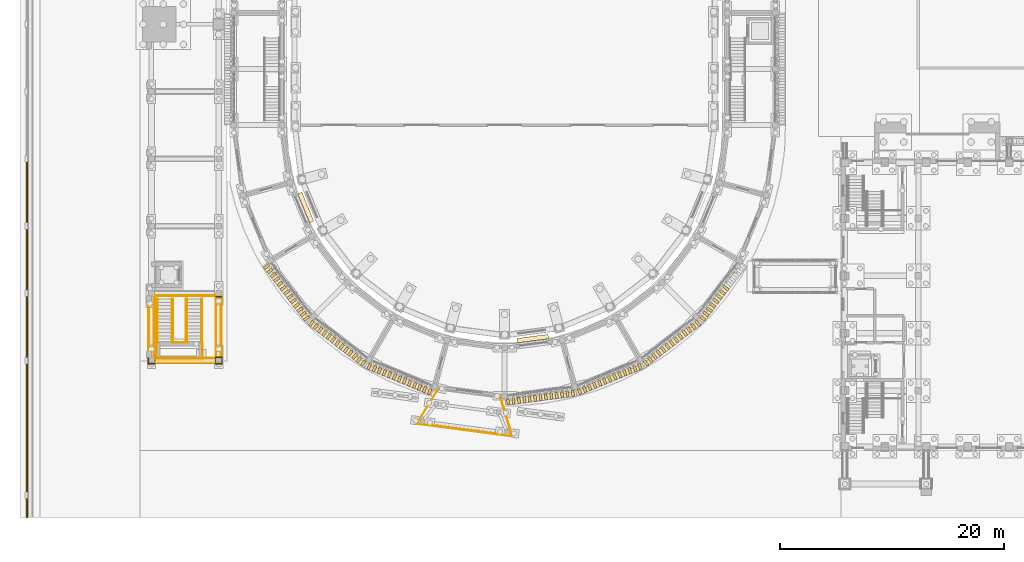
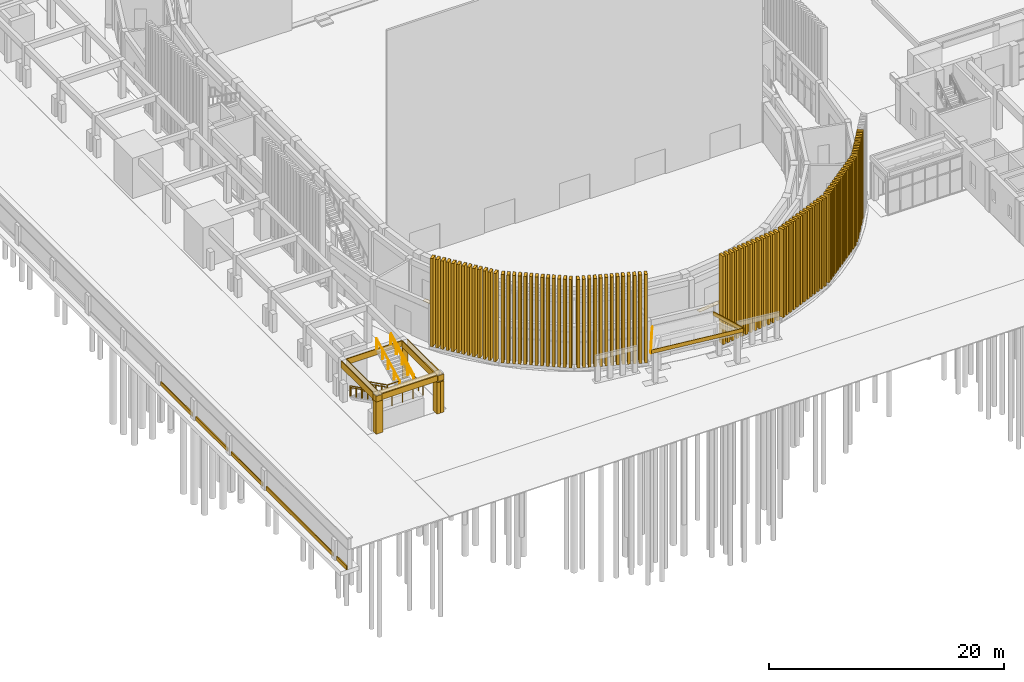
# One storey, part 94 of 112: 110 coverings, 10 railings.
"""IFC4 building model written with IfcOpenShell, lengths in metres."""

from ifc_helpers import new_model, si_unit, direction, frame, origin, origin_2d, place, context, subcontext, project, spatial, polyline, rectangle, circle, outline, extrude, material, layer, layer_set, material_profile, profile_set, type_object, element, save


model = new_model("IFC4")

# Units and contexts
model_context = context("Model", 3, precision=1e-05, world=origin(), true_north=direction((0.0, 1.0)))
body_context = subcontext(model_context, "Body", "Model", "MODEL_VIEW")
ifc_project = project(units=[si_unit("LENGTHUNIT", "METRE"), si_unit("AREAUNIT", "SQUARE_METRE"), si_unit("VOLUMEUNIT", "CUBIC_METRE"), si_unit("PLANEANGLEUNIT", "RADIAN"), si_unit("MASSUNIT", "GRAM", prefix="KILO")], contexts=[model_context])

# Site, building, storey
site_placement = place(None, origin())
site = spatial("IfcSite", under=ifc_project, at=site_placement, CompositionType="ELEMENT")
building_placement = place(site_placement, origin())
building = spatial("IfcBuilding", under=site, at=building_placement, Name="Wasatch Bagh Community Centre", CompositionType="ELEMENT")
storey_placement = place(building_placement, origin())
storey = spatial("IfcBuildingStorey", under=building, at=storey_placement, Name="L00", CompositionType="ELEMENT", Elevation=0.0)

# Coverings
ifc_material_1 = material(Name="Cast stone cladding", Category="masonry")
ifc_layer_1 = layer(ifc_material_1, 0.080078125)
ifc_layer_set_1 = layer_set([ifc_layer_1], Name="Cast stone cladding")
covering_type_1 = type_object("IfcCoveringType", Name="CL-B7 beam facing", PredefinedType="CLADDING", material=ifc_layer_set_1)
covering_1_placement = place(storey_placement, frame((0.0, 0.0, 3.25)))
element("IfcCovering", 1, at=covering_1_placement, inside=storey, type_object=covering_type_1, Name="Beam facing", PredefinedType="CLADDING", context=body_context, shape_type="SweptSolid", body=[
    extrude(outline(polyline([(4.300048828125, 14.25), (4.300048828125, 19.75), (4.219970703125, 19.75), (4.219970703125, 14.25), (4.300048828125, 14.25)])), origin(), (0.0, 0.0, 1.0), 0.699951171875),
])
covering_2_placement = place(storey_placement, frame((0.0, 0.0, 3.25)))
element("IfcCovering", 2, at=covering_2_placement, inside=storey, type_object=covering_type_1, Name="Beam facing", PredefinedType="CLADDING", context=body_context, shape_type="SweptSolid", body=[
    extrude(outline(polyline([(4.699951171875, 14.25), (4.699951171875, 19.75), (4.780029296875, 19.75), (4.780029296875, 14.25), (4.699951171875, 14.25)])), origin(), (0.0, 0.0, 1.0), 0.699951171875),
])
covering_3_placement = place(storey_placement, frame((0.0, 0.0, 3.25)))
element("IfcCovering", 3, at=covering_3_placement, inside=storey, type_object=covering_type_1, Name="Beam facing", PredefinedType="CLADDING", context=body_context, shape_type="SweptSolid", body=[
    extrude(outline(polyline([(10.300048828125, 14.25), (10.300048828125, 19.75), (10.219970703125, 19.75), (10.219970703125, 14.25), (10.300048828125, 14.25)])), origin(), (0.0, 0.0, 1.0), 0.699951171875),
])
covering_4_placement = place(storey_placement, frame((0.0, 0.0, 3.25)))
element("IfcCovering", 4, at=covering_4_placement, inside=storey, type_object=covering_type_1, Name="Beam facing", PredefinedType="CLADDING", context=body_context, shape_type="SweptSolid", body=[
    extrude(outline(polyline([(10.699951171875, 14.25), (10.699951171875, 19.75), (10.780029296875, 19.75), (10.780029296875, 14.25), (10.699951171875, 14.25)])), origin(), (0.0, 0.0, 1.0), 0.699951171875),
])
covering_5_placement = place(storey_placement, frame((0.0, 0.0, 3.35009765625)))
element("IfcCovering", 5, at=covering_5_placement, inside=storey, type_object=covering_type_1, Name="Beam facing", PredefinedType="CLADDING", context=body_context, shape_type="SweptSolid", body=[
    extrude(outline(polyline([(4.75, 14.175048828125), (10.25, 14.175048828125), (10.25, 14.2548828125), (4.75, 14.2548828125), (4.75, 14.175048828125)])), origin(), (0.0, 0.0, 1.0), 0.599853515625),
])
covering_6_placement = place(storey_placement, frame((0.0, 0.0, 3.35009765625)))
element("IfcCovering", 6, at=covering_6_placement, inside=storey, type_object=covering_type_1, Name="Beam facing", PredefinedType="CLADDING", context=body_context, shape_type="SweptSolid", body=[
    extrude(outline(polyline([(4.75, 13.824951171875), (10.25, 13.824951171875), (10.25, 13.7451171875), (4.75, 13.7451171875), (4.75, 13.824951171875)])), origin(), (0.0, 0.0, 1.0), 0.599853515625),
])
covering_7_placement = place(storey_placement, frame((0.0, 0.0, 3.949951171875)))
element("IfcCovering", 7, at=covering_7_placement, inside=storey, type_object=covering_type_1, Name="Beam facing", PredefinedType="CLADDING", context=body_context, shape_type="SweptSolid", body=[
    extrude(outline(polyline([(4.75, 13.7451171875), (10.25, 13.7451171875), (10.25, 14.2548828125), (4.75, 14.2548828125), (4.75, 13.7451171875)])), origin(), (0.0, 0.0, 1.0), 0.080078125),
])
covering_8_placement = place(storey_placement, frame((0.0, 0.0, 3.35009765625)))
element("IfcCovering", 8, at=covering_8_placement, inside=storey, type_object=covering_type_1, Name="Beam facing", PredefinedType="CLADDING", context=body_context, shape_type="SweptSolid", body=[
    extrude(outline(polyline([(4.75, 19.824951171875), (10.25, 19.824951171875), (10.25, 19.7451171875), (4.75, 19.7451171875), (4.75, 19.824951171875)])), origin(), (0.0, 0.0, 1.0), 0.599853515625),
])
ifc_layer_2 = layer(ifc_material_1, 0.080078125)
ifc_layer_set_2 = layer_set([ifc_layer_2], Name="Cast stone cladding")
covering_type_2 = type_object("IfcCoveringType", Name="CL-C1 column facing", PredefinedType="CLADDING", material=ifc_layer_set_2)
covering_9_placement = place(storey_placement, origin())
element("IfcCovering", 9, at=covering_9_placement, inside=storey, type_object=covering_type_2, Name="Column facing", PredefinedType="CLADDING", context=body_context, shape_type="SweptSolid", body=[
    extrude(outline(polyline([(4.169921875, 13.669921875), (4.169921875, 14.25), (4.25, 14.25), (4.25, 13.75), (4.75, 13.75), (4.75, 14.25), (4.830078125, 14.25), (4.830078125, 13.669921875), (4.169921875, 13.669921875)])), origin(), (0.0, 0.0, 1.0), 3.35009765625),
])
covering_10_placement = place(storey_placement, frame((0.0, 0.0, 3.35009765625)))
element("IfcCovering", 10, at=covering_10_placement, inside=storey, type_object=covering_type_2, Name="Column facing", PredefinedType="CLADDING", context=body_context, shape_type="SweptSolid", body=[
    extrude(outline(polyline([(4.169921875, 13.669921875), (4.169921875, 14.25), (4.25, 14.25), (4.25, 13.75), (4.75, 13.75), (4.75, 13.669921875), (4.169921875, 13.669921875)])), origin(), (0.0, 0.0, 1.0), 0.599853515625),
])
covering_11_placement = place(storey_placement, origin())
element("IfcCovering", 11, at=covering_11_placement, inside=storey, type_object=covering_type_2, Name="Column facing", PredefinedType="CLADDING", context=body_context, shape_type="SweptSolid", body=[
    extrude(outline(polyline([(10.5, 14.330078125), (10.5, 14.25), (10.25, 14.25), (10.25, 13.75), (10.5, 13.75), (10.5, 13.669921875), (10.169921875, 13.669921875), (10.169921875, 14.330078125), (10.5, 14.330078125)])), origin(), (0.0, 0.0, 1.0), 3.25),
])
covering_12_placement = place(storey_placement, origin())
element("IfcCovering", 12, at=covering_12_placement, inside=storey, type_object=covering_type_2, Name="Column facing", PredefinedType="CLADDING", context=body_context, shape_type="SweptSolid", body=[
    extrude(outline(polyline([(10.830078125, 14.330078125), (10.830078125, 13.669921875), (10.5, 13.669921875), (10.5, 13.75), (10.75, 13.75), (10.75, 14.25), (10.5, 14.25), (10.5, 14.330078125), (10.830078125, 14.330078125)])), origin(), (0.0, 0.0, 1.0), 3.25),
])
covering_13_placement = place(storey_placement, frame((0.0, 0.0, 3.35009765625)))
element("IfcCovering", 13, at=covering_13_placement, inside=storey, type_object=covering_type_2, Name="Column facing", PredefinedType="CLADDING", context=body_context, shape_type="SweptSolid", body=[
    extrude(outline(polyline([(10.75, 13.75), (10.75, 14.25), (10.830078125, 14.25), (10.830078125, 13.669921875), (10.25, 13.669921875), (10.25, 13.75), (10.75, 13.75)])), origin(), (0.0, 0.0, 1.0), 0.599853515625),
])
covering_14_placement = place(storey_placement, origin())
element("IfcCovering", 14, at=covering_14_placement, inside=storey, type_object=covering_type_2, Name="Column facing", PredefinedType="CLADDING", context=body_context, shape_type="SweptSolid", body=[
    extrude(outline(polyline([(10.25, 19.75), (10.75, 19.75), (10.75, 19.669921875), (10.25, 19.669921875), (10.25, 19.75)])), origin(), (0.0, 0.0, 1.0), 3.25),
])

# Railings
ifc_material_2 = material(Name="ASTM A36 steel plate", Category="steel")
railing_type_1 = type_object("IfcRailingType", Name="CT-G1", PredefinedType="GUARDRAIL", material=ifc_material_2)
for number, where, name in (
    (15, (4.97998046875, 19.5, 0.14990234375), "GUARD 11"),
    (16, (6.419921875, 19.5, 0.14990234375), "GUARD 12"),
):
    element("IfcRailing", number, at=place(storey_placement, frame(where)), inside=storey, type_object=railing_type_1, Name=name, PredefinedType="GUARDRAIL", context=body_context, shape_type="SweptSolid", body=[
        extrude(circle(Radius=0.02392578125, at=origin_2d()), frame((0.0, 0.0, 1.076171875), z_axis=(0.0, -0.894404793364, 0.447258387967), x_axis=(1.0, 0.0, 0.0)), (0.0, 0.0, 1.0), 4.3603515625),
        extrude(circle(Radius=0.02099609375, at=origin_2d()), origin(), (0.0, 0.0, 1.0), 1.052001953125),
        extrude(circle(Radius=0.02099609375, at=origin_2d()), frame((0.0, -0.97509765625, 0.487548828125)), (0.0, 0.0, 1.0), 1.052001953125),
        extrude(circle(Radius=0.02099609375, at=origin_2d()), frame((0.0, -1.949951171875, 0.97509765625)), (0.0, 0.0, 1.0), 1.052001953125),
        extrude(circle(Radius=0.02099609375, at=origin_2d()), frame((0.0, -2.9248046875, 1.462646484375)), (0.0, 0.0, 1.0), 1.052001953125),
        extrude(circle(Radius=0.02099609375, at=origin_2d()), frame((0.0, -3.89990234375, 1.9501953125)), (0.0, 0.0, 1.0), 1.052001953125),
    ])
for number, where, name in (
    (17, (9.02001953125, 15.60009765625, 2.25), "GUARD 15"),
    (18, (7.580078125, 15.60009765625, 2.25), "GUARD 16"),
):
    element("IfcRailing", number, at=place(storey_placement, frame(where)), inside=storey, type_object=railing_type_1, Name=name, PredefinedType="GUARDRAIL", context=body_context, shape_type="SweptSolid", body=[
        extrude(circle(Radius=0.02392578125, at=origin_2d()), frame((0.0, 0.0, 1.076171875), z_axis=(0.0, 0.894427191, 0.4472135955), x_axis=(-1.0, 0.0, 0.0)), (0.0, 0.0, 1.0), 4.360107421875),
        extrude(circle(Radius=0.02099609375, at=origin_2d()), origin(), (0.0, 0.0, 1.0), 1.052001953125),
        extrude(circle(Radius=0.02099609375, at=origin_2d()), frame((0.0, 0.97509765625, 0.487548828125)), (0.0, 0.0, 1.0), 1.052001953125),
        extrude(circle(Radius=0.02099609375, at=origin_2d()), frame((0.0, 1.949951171875, 0.97509765625)), (0.0, 0.0, 1.0), 1.052001953125),
        extrude(circle(Radius=0.02099609375, at=origin_2d()), frame((0.0, 2.9248046875, 1.46240234375)), (0.0, 0.0, 1.0), 1.052001953125),
        extrude(circle(Radius=0.02099609375, at=origin_2d()), frame((0.0, 3.89990234375, 1.949951171875)), (0.0, 0.0, 1.0), 1.052001953125),
    ])
railing_1_placement = place(storey_placement, frame((4.949951171875, 15.6201171875, 2.10009765625)))
element("IfcRailing", 19, at=railing_1_placement, inside=storey, type_object=railing_type_1, Name="GUARD 19", PredefinedType="GUARDRAIL", context=body_context, shape_type="SweptSolid", body=[
    extrude(circle(Radius=0.02392578125, at=origin_2d()), frame((0.0, 0.0, 1.076171875), z_axis=(0.0, -1.0, 0.0), x_axis=(1.0, 0.0, 0.0)), (0.0, 0.0, 1.0), 1.52001953125),
    extrude(circle(Radius=0.02392578125, at=origin_2d()), frame((0.0, -1.52001953125, 1.076171875), z_axis=(1.0, 0.0, 0.0), x_axis=(0.0, 1.0, 0.0)), (0.0, 0.0, 1.0), 4.10009765625),
    extrude(circle(Radius=0.02392578125, at=origin_2d()), frame((4.10009765625, -1.52001953125, 1.076171875), z_axis=(0.0, 1.0, 0.0), x_axis=(-1.0, 0.0, 0.0)), (0.0, 0.0, 1.0), 1.52001953125),
    extrude(circle(Radius=0.02099609375, at=origin_2d()), origin(), (0.0, 0.0, 1.0), 1.052001953125),
    extrude(circle(Radius=0.02099609375, at=origin_2d()), frame((0.0, -0.760009765625, 0.0)), (0.0, 0.0, 1.0), 1.052001953125),
    extrude(circle(Radius=0.02099609375, at=origin_2d()), frame((0.0, -1.52001953125, 0.0)), (0.0, 0.0, 1.0), 1.052001953125),
    extrude(circle(Radius=0.02099609375, at=origin_2d()), frame((1.02490234375, -1.52001953125, 0.0)), (0.0, 0.0, 1.0), 1.052001953125),
    extrude(circle(Radius=0.02099609375, at=origin_2d()), frame((2.050048828125, -1.52001953125, 0.0)), (0.0, 0.0, 1.0), 1.052001953125),
    extrude(circle(Radius=0.02099609375, at=origin_2d()), frame((3.0751953125, -1.52001953125, 0.0)), (0.0, 0.0, 1.0), 1.052001953125),
    extrude(circle(Radius=0.02099609375, at=origin_2d()), frame((4.10009765625, -1.52001953125, 0.0)), (0.0, 0.0, 1.0), 1.052001953125),
    extrude(circle(Radius=0.02099609375, at=origin_2d()), frame((4.10009765625, -0.760009765625, 0.0)), (0.0, 0.0, 1.0), 1.052001953125),
    extrude(circle(Radius=0.02099609375, at=origin_2d()), frame((4.10009765625, 0.0, 0.0)), (0.0, 0.0, 1.0), 1.052001953125),
])
railing_2_placement = place(storey_placement, frame((6.419921875, 15.6201171875, 2.10009765625)))
element("IfcRailing", 20, at=railing_2_placement, inside=storey, type_object=railing_type_1, Name="GUARD 20", PredefinedType="GUARDRAIL", context=body_context, shape_type="SweptSolid", body=[
    extrude(circle(Radius=0.02392578125, at=origin_2d()), frame((0.0, 0.0, 1.076171875), z_axis=(1.0, 0.0, 0.0), x_axis=(0.0, 1.0, 0.0)), (0.0, 0.0, 1.0), 1.16015625),
    extrude(circle(Radius=0.02099609375, at=origin_2d()), origin(), (0.0, 0.0, 1.0), 1.052001953125),
    extrude(circle(Radius=0.02099609375, at=origin_2d()), frame((1.16015625, 0.0, 0.0)), (0.0, 0.0, 1.0), 1.052001953125),
])
railing_type_2 = type_object("IfcRailingType", Name="CT-H1", PredefinedType="HANDRAIL", material=ifc_material_2)
for number, where, name in (
    (21, (5.050048828125, 19.5, 0.14990234375), "HANDRAIL 13"),
    (22, (6.35009765625, 19.5, 0.14990234375), "HANDRAIL 14"),
):
    element("IfcRailing", number, at=place(storey_placement, frame(where)), inside=storey, type_object=railing_type_2, Name=name, PredefinedType="HANDRAIL", context=body_context, shape_type="SweptSolid", body=[
        extrude(circle(Radius=0.02392578125, at=origin_2d()), frame((0.0, 0.0, 0.8759765625), z_axis=(0.0, -0.894404793364, 0.447258387967), x_axis=(1.0, 0.0, 0.0)), (0.0, 0.0, 1.0), 4.3603515625),
        extrude(circle(Radius=0.02099609375, at=origin_2d()), origin(), (0.0, 0.0, 1.0), 0.851806640625),
        extrude(circle(Radius=0.02099609375, at=origin_2d()), frame((0.0, -0.97509765625, 0.487548828125)), (0.0, 0.0, 1.0), 0.851806640625),
        extrude(circle(Radius=0.02099609375, at=origin_2d()), frame((0.0, -1.949951171875, 0.97509765625)), (0.0, 0.0, 1.0), 0.851806640625),
        extrude(circle(Radius=0.02099609375, at=origin_2d()), frame((0.0, -2.9248046875, 1.462646484375)), (0.0, 0.0, 1.0), 0.851806640625),
        extrude(circle(Radius=0.02099609375, at=origin_2d()), frame((0.0, -3.89990234375, 1.9501953125)), (0.0, 0.0, 1.0), 0.851806640625),
    ])
for number, where, name in (
    (23, (8.949951171875, 15.60009765625, 2.25), "HANDRAIL 17"),
    (24, (7.64990234375, 15.60009765625, 2.25), "HANDRAIL 18"),
):
    element("IfcRailing", number, at=place(storey_placement, frame(where)), inside=storey, type_object=railing_type_2, Name=name, PredefinedType="HANDRAIL", context=body_context, shape_type="SweptSolid", body=[
        extrude(circle(Radius=0.02392578125, at=origin_2d()), frame((0.0, 0.0, 0.8759765625), z_axis=(0.0, 0.894427191, 0.4472135955), x_axis=(-1.0, 0.0, 0.0)), (0.0, 0.0, 1.0), 4.360107421875),
        extrude(circle(Radius=0.02099609375, at=origin_2d()), origin(), (0.0, 0.0, 1.0), 0.851806640625),
        extrude(circle(Radius=0.02099609375, at=origin_2d()), frame((0.0, 0.97509765625, 0.487548828125)), (0.0, 0.0, 1.0), 0.851806640625),
        extrude(circle(Radius=0.02099609375, at=origin_2d()), frame((0.0, 1.949951171875, 0.97509765625)), (0.0, 0.0, 1.0), 0.851806640625),
        extrude(circle(Radius=0.02099609375, at=origin_2d()), frame((0.0, 2.9248046875, 1.46240234375)), (0.0, 0.0, 1.0), 0.851806640625),
        extrude(circle(Radius=0.02099609375, at=origin_2d()), frame((0.0, 3.89990234375, 1.949951171875)), (0.0, 0.0, 1.0), 0.851806640625),
    ])

# Coverings
ifc_material_3 = material(Name="Aluminium chequer plate", Category="aluminium")
ifc_layer_3 = layer(ifc_material_3, 0.02001953125)
ifc_layer_set_3 = layer_set([ifc_layer_3], Name="Aluminium chequer plate")
covering_type_3 = type_object("IfcCoveringType", Name="Drum joint cover plate", PredefinedType="FLOORING", material=ifc_layer_set_3)
for number, where, z_axis, x_axis, name in (
    (25, (18.261474609375, 27.652587890625, 0.0), (0.0, 0.0, 1.0), (-0.923879532511, -0.382683432365, 0.0), "Joint cover plate South-West"),
    (26, (38.506103515625, 15.96435546875, 0.0), (0.0, 0.0, 1.0), (0.13052619222, -0.991444861374, 0.0), "Joint cover plate Prayer Hall"),
):
    element("IfcCovering", number, at=place(storey_placement, frame(where, z_axis=z_axis, x_axis=x_axis)), inside=storey, type_object=covering_type_3, Name=name, PredefinedType="FLOORING", context=body_context, shape_type="SweptSolid", body=[
        extrude(rectangle(XDim=0.39990234375, YDim=2.800048828125, at=origin_2d()), origin(), (0.0, 0.0, 1.0), 0.02001953125),
    ])
ifc_material_4 = material(Name="White precast concrete C40/50", Category="concrete")
ifc_layer_4 = layer(ifc_material_4, 0.25)
ifc_layer_set_4 = layer_set([ifc_layer_4], Name="White precast concrete C40/50")
covering_type_4 = type_object("IfcCoveringType", Name="Drum vertical fin", PredefinedType="CLADDING", material=ifc_layer_set_4)
for number, where, z_axis, x_axis, name in (
    (27, (14.781005859375, 22.3857421875, 0.2998046875), (0.0, 0.0, 1.0), (0.608761429009, -0.793353340291, 0.0), "Fin 3.1"),
    (28, (15.076171875, 22.0009765625, 0.2998046875), (0.0, 0.0, 1.0), (0.608761429009, -0.793353340291, 0.0), "Fin 3.2"),
    (29, (15.371337890625, 21.6162109375, 0.2998046875), (0.0, 0.0, 1.0), (0.608761429009, -0.793353340291, 0.0), "Fin 3.3"),
    (30, (15.66650390625, 21.2314453125, 0.2998046875), (0.0, 0.0, 1.0), (0.608761429009, -0.793353340291, 0.0), "Fin 3.4"),
    (31, (15.961669921875, 20.8466796875, 0.2998046875), (0.0, 0.0, 1.0), (0.608761429009, -0.793353340291, 0.0), "Fin 3.5"),
    (32, (16.257080078125, 20.4619140625, 0.2998046875), (0.0, 0.0, 1.0), (0.608761429009, -0.793353340291, 0.0), "Fin 3.6"),
    (33, (16.55224609375, 20.0771484375, 0.2998046875), (0.0, 0.0, 1.0), (0.608761429009, -0.793353340291, 0.0), "Fin 3.7"),
    (34, (16.847412109375, 19.6923828125, 0.2998046875), (0.0, 0.0, 1.0), (0.608761429009, -0.793353340291, 0.0), "Fin 3.8"),
    (35, (17.142578125, 19.3076171875, 0.2998046875), (0.0, 0.0, 1.0), (0.608761429009, -0.793353340291, 0.0), "Fin 3.9"),
    (36, (17.43798828125, 18.9228515625, 0.2998046875), (0.0, 0.0, 1.0), (0.608761429009, -0.793353340291, 0.0), "Fin 3.10"),
    (37, (17.733154296875, 18.538330078125, 0.2998046875), (0.0, 0.0, 1.0), (0.608761429009, -0.793353340291, 0.0), "Fin 3.11"),
    (38, (18.0283203125, 18.153564453125, 0.2998046875), (0.0, 0.0, 1.0), (0.608761429009, -0.793353340291, 0.0), "Fin 3.12"),
    (39, (18.323486328125, 17.768798828125, 0.2998046875), (0.0, 0.0, 1.0), (0.608761429009, -0.793353340291, 0.0), "Fin 3.13"),
    (40, (18.768798828125, 17.323486328125, 0.2998046875), (0.0, 0.0, 1.0), (0.793353340291, -0.608761429009, 0.0), "Fin 4.1"),
    (41, (19.153564453125, 17.0283203125, 0.2998046875), (0.0, 0.0, 1.0), (0.793353340291, -0.608761429009, 0.0), "Fin 4.2"),
    (42, (19.538330078125, 16.733154296875, 0.2998046875), (0.0, 0.0, 1.0), (0.793353340291, -0.608761429009, 0.0), "Fin 4.3"),
    (43, (19.9228515625, 16.43798828125, 0.2998046875), (0.0, 0.0, 1.0), (0.793353340291, -0.608761429009, 0.0), "Fin 4.4"),
    (44, (20.3076171875, 16.142578125, 0.2998046875), (0.0, 0.0, 1.0), (0.793353340291, -0.608761429009, 0.0), "Fin 4.5"),
    (45, (20.6923828125, 15.847412109375, 0.2998046875), (0.0, 0.0, 1.0), (0.793353340291, -0.608761429009, 0.0), "Fin 4.6"),
    (46, (21.0771484375, 15.55224609375, 0.2998046875), (0.0, 0.0, 1.0), (0.793353340291, -0.608761429009, 0.0), "Fin 4.7"),
    (47, (21.4619140625, 15.257080078125, 0.2998046875), (0.0, 0.0, 1.0), (0.793353340291, -0.608761429009, 0.0), "Fin 4.8"),
    (48, (21.8466796875, 14.961669921875, 0.2998046875), (0.0, 0.0, 1.0), (0.793353340291, -0.608761429009, 0.0), "Fin 4.9"),
    (49, (22.2314453125, 14.66650390625, 0.2998046875), (0.0, 0.0, 1.0), (0.793353340291, -0.608761429009, 0.0), "Fin 4.10"),
    (50, (22.6162109375, 14.371337890625, 0.2998046875), (0.0, 0.0, 1.0), (0.793353340291, -0.608761429009, 0.0), "Fin 4.11"),
    (51, (23.0009765625, 14.076171875, 0.2998046875), (0.0, 0.0, 1.0), (0.793353340291, -0.608761429009, 0.0), "Fin 4.12"),
    (52, (23.3857421875, 13.781005859375, 0.2998046875), (0.0, 0.0, 1.0), (0.793353340291, -0.608761429009, 0.0), "Fin 4.13"),
    (53, (23.930908203125, 13.466064453125, 0.2998046875), (0.0, 0.0, 1.0), (0.923879532511, -0.382683432365, 0.0), "Fin 5.1"),
    (54, (24.37890625, 13.280517578125, 0.2998046875), (0.0, 0.0, 1.0), (0.923879532511, -0.382683432365, 0.0), "Fin 5.2"),
    (55, (24.826904296875, 13.094970703125, 0.2998046875), (0.0, 0.0, 1.0), (0.923879532511, -0.382683432365, 0.0), "Fin 5.3"),
    (56, (25.27490234375, 12.909423828125, 0.2998046875), (0.0, 0.0, 1.0), (0.923879532511, -0.382683432365, 0.0), "Fin 5.4"),
    (57, (25.72314453125, 12.7236328125, 0.2998046875), (0.0, 0.0, 1.0), (0.923879532511, -0.382683432365, 0.0), "Fin 5.5"),
    (58, (26.171142578125, 12.5380859375, 0.2998046875), (0.0, 0.0, 1.0), (0.923879532511, -0.382683432365, 0.0), "Fin 5.6"),
    (59, (26.619140625, 12.3525390625, 0.2998046875), (0.0, 0.0, 1.0), (0.923879532511, -0.382683432365, 0.0), "Fin 5.7"),
    (60, (27.067138671875, 12.1669921875, 0.2998046875), (0.0, 0.0, 1.0), (0.923879532511, -0.382683432365, 0.0), "Fin 5.8"),
    (61, (27.51513671875, 11.9814453125, 0.2998046875), (0.0, 0.0, 1.0), (0.923879532511, -0.382683432365, 0.0), "Fin 5.9"),
    (62, (27.963134765625, 11.7958984375, 0.2998046875), (0.0, 0.0, 1.0), (0.923879532511, -0.382683432365, 0.0), "Fin 5.10"),
    (63, (28.411376953125, 11.6103515625, 0.2998046875), (0.0, 0.0, 1.0), (0.923879532511, -0.382683432365, 0.0), "Fin 5.11"),
    (64, (28.859375, 11.424560546875, 0.2998046875), (0.0, 0.0, 1.0), (0.923879532511, -0.382683432365, 0.0), "Fin 5.12"),
    (65, (29.307373046875, 11.239013671875, 0.2998046875), (0.0, 0.0, 1.0), (0.923879532511, -0.382683432365, 0.0), "Fin 5.13"),
    (66, (36.314697265625, 10.31640625, 0.2998046875), (0.0, 0.0, 1.0), (0.991444861374, 0.13052619222, 0.0), "Fin 7.1"),
    (67, (36.795654296875, 10.3798828125, 0.2998046875), (0.0, 0.0, 1.0), (0.991444861374, 0.13052619222, 0.0), "Fin 7.2"),
    (68, (37.2763671875, 10.443115234375, 0.2998046875), (0.0, 0.0, 1.0), (0.991444861374, 0.13052619222, 0.0), "Fin 7.3"),
    (69, (37.75732421875, 10.50634765625, 0.2998046875), (0.0, 0.0, 1.0), (0.991444861374, 0.13052619222, 0.0), "Fin 7.4"),
    (70, (38.238037109375, 10.56982421875, 0.2998046875), (0.0, 0.0, 1.0), (0.991444861374, 0.13052619222, 0.0), "Fin 7.5"),
    (71, (38.71875, 10.633056640625, 0.2998046875), (0.0, 0.0, 1.0), (0.991444861374, 0.13052619222, 0.0), "Fin 7.6"),
    (72, (39.19970703125, 10.6962890625, 0.2998046875), (0.0, 0.0, 1.0), (0.991444861374, 0.13052619222, 0.0), "Fin 7.7"),
    (73, (39.680419921875, 10.759521484375, 0.2998046875), (0.0, 0.0, 1.0), (0.991444861374, 0.13052619222, 0.0), "Fin 7.8"),
    (74, (40.1611328125, 10.822998046875, 0.2998046875), (0.0, 0.0, 1.0), (0.991444861374, 0.13052619222, 0.0), "Fin 7.9"),
    (75, (40.64208984375, 10.88623046875, 0.2998046875), (0.0, 0.0, 1.0), (0.991444861374, 0.13052619222, 0.0), "Fin 7.10"),
    (76, (41.122802734375, 10.949462890625, 0.2998046875), (0.0, 0.0, 1.0), (0.991444861374, 0.13052619222, 0.0), "Fin 7.11"),
    (77, (41.603759765625, 11.012939453125, 0.2998046875), (0.0, 0.0, 1.0), (0.991444861374, 0.13052619222, 0.0), "Fin 7.12"),
    (78, (42.08447265625, 11.076171875, 0.2998046875), (0.0, 0.0, 1.0), (0.991444861374, 0.13052619222, 0.0), "Fin 7.13"),
    (79, (42.692626953125, 11.239013671875, 0.2998046875), (0.0, 0.0, 1.0), (0.923879532511, 0.382683432365, 0.0), "Fin 8.1"),
    (80, (43.140625, 11.424560546875, 0.2998046875), (0.0, 0.0, 1.0), (0.923879532511, 0.382683432365, 0.0), "Fin 8.2"),
    (81, (43.588623046875, 11.6103515625, 0.2998046875), (0.0, 0.0, 1.0), (0.923879532511, 0.382683432365, 0.0), "Fin 8.3"),
    (82, (44.036865234375, 11.7958984375, 0.2998046875), (0.0, 0.0, 1.0), (0.923879532511, 0.382683432365, 0.0), "Fin 8.4"),
    (83, (44.48486328125, 11.9814453125, 0.2998046875), (0.0, 0.0, 1.0), (0.923879532511, 0.382683432365, 0.0), "Fin 8.5"),
    (84, (44.932861328125, 12.1669921875, 0.2998046875), (0.0, 0.0, 1.0), (0.923879532511, 0.382683432365, 0.0), "Fin 8.6"),
    (85, (45.380859375, 12.3525390625, 0.2998046875), (0.0, 0.0, 1.0), (0.923879532511, 0.382683432365, 0.0), "Fin 8.7"),
    (86, (45.828857421875, 12.5380859375, 0.2998046875), (0.0, 0.0, 1.0), (0.923879532511, 0.382683432365, 0.0), "Fin 8.8"),
    (87, (46.27685546875, 12.7236328125, 0.2998046875), (0.0, 0.0, 1.0), (0.923879532511, 0.382683432365, 0.0), "Fin 8.9"),
    (88, (46.72509765625, 12.909423828125, 0.2998046875), (0.0, 0.0, 1.0), (0.923879532511, 0.382683432365, 0.0), "Fin 8.10"),
    (89, (47.173095703125, 13.094970703125, 0.2998046875), (0.0, 0.0, 1.0), (0.923879532511, 0.382683432365, 0.0), "Fin 8.11"),
    (90, (47.62109375, 13.280517578125, 0.2998046875), (0.0, 0.0, 1.0), (0.923879532511, 0.382683432365, 0.0), "Fin 8.12"),
    (91, (48.069091796875, 13.466064453125, 0.2998046875), (0.0, 0.0, 1.0), (0.923879532511, 0.382683432365, 0.0), "Fin 8.13"),
    (92, (48.6142578125, 13.781005859375, 0.2998046875), (0.0, 0.0, 1.0), (0.793353340291, 0.608761429009, 0.0), "Fin 9.1"),
    (93, (48.9990234375, 14.076171875, 0.2998046875), (0.0, 0.0, 1.0), (0.793353340291, 0.608761429009, 0.0), "Fin 9.2"),
    (94, (49.3837890625, 14.371337890625, 0.2998046875), (0.0, 0.0, 1.0), (0.793353340291, 0.608761429009, 0.0), "Fin 9.3"),
    (95, (49.7685546875, 14.66650390625, 0.2998046875), (0.0, 0.0, 1.0), (0.793353340291, 0.608761429009, 0.0), "Fin 9.4"),
    (96, (50.1533203125, 14.961669921875, 0.2998046875), (0.0, 0.0, 1.0), (0.793353340291, 0.608761429009, 0.0), "Fin 9.5"),
    (97, (50.5380859375, 15.257080078125, 0.2998046875), (0.0, 0.0, 1.0), (0.793353340291, 0.608761429009, 0.0), "Fin 9.6"),
    (98, (50.9228515625, 15.55224609375, 0.2998046875), (0.0, 0.0, 1.0), (0.793353340291, 0.608761429009, 0.0), "Fin 9.7"),
    (99, (51.3076171875, 15.847412109375, 0.2998046875), (0.0, 0.0, 1.0), (0.793353340291, 0.608761429009, 0.0), "Fin 9.8"),
    (100, (51.6923828125, 16.142578125, 0.2998046875), (0.0, 0.0, 1.0), (0.793353340291, 0.608761429009, 0.0), "Fin 9.9"),
    (101, (52.0771484375, 16.43798828125, 0.2998046875), (0.0, 0.0, 1.0), (0.793353340291, 0.608761429009, 0.0), "Fin 9.10"),
    (102, (52.461669921875, 16.733154296875, 0.2998046875), (0.0, 0.0, 1.0), (0.793353340291, 0.608761429009, 0.0), "Fin 9.11"),
    (103, (52.846435546875, 17.0283203125, 0.2998046875), (0.0, 0.0, 1.0), (0.793353340291, 0.608761429009, 0.0), "Fin 9.12"),
    (104, (53.231201171875, 17.323486328125, 0.2998046875), (0.0, 0.0, 1.0), (0.793353340291, 0.608761429009, 0.0), "Fin 9.13"),
    (105, (53.676513671875, 17.768798828125, 0.2998046875), (0.0, 0.0, 1.0), (0.608761429009, 0.793353340291, 0.0), "Fin 10.1"),
    (106, (53.9716796875, 18.153564453125, 0.2998046875), (0.0, 0.0, 1.0), (0.608761429009, 0.793353340291, 0.0), "Fin 10.2"),
    (107, (54.266845703125, 18.538330078125, 0.2998046875), (0.0, 0.0, 1.0), (0.608761429009, 0.793353340291, 0.0), "Fin 10.3"),
    (108, (54.56201171875, 18.9228515625, 0.2998046875), (0.0, 0.0, 1.0), (0.608761429009, 0.793353340291, 0.0), "Fin 10.4"),
    (109, (54.857421875, 19.3076171875, 0.2998046875), (0.0, 0.0, 1.0), (0.608761429009, 0.793353340291, 0.0), "Fin 10.5"),
    (110, (55.152587890625, 19.6923828125, 0.2998046875), (0.0, 0.0, 1.0), (0.608761429009, 0.793353340291, 0.0), "Fin 10.6"),
    (111, (55.44775390625, 20.0771484375, 0.2998046875), (0.0, 0.0, 1.0), (0.608761429009, 0.793353340291, 0.0), "Fin 10.7"),
    (112, (55.742919921875, 20.4619140625, 0.2998046875), (0.0, 0.0, 1.0), (0.608761429009, 0.793353340291, 0.0), "Fin 10.8"),
):
    element("IfcCovering", number, at=place(storey_placement, frame(where, z_axis=z_axis, x_axis=x_axis)), inside=storey, type_object=covering_type_4, Name=name, PredefinedType="CLADDING", context=body_context, shape_type="SweptSolid", body=[
        extrude(rectangle(XDim=0.25, YDim=0.550048828125, at=origin_2d()), origin(), (0.0, 0.0, 1.0), 9.199951171875),
    ])
ifc_material_profile = material_profile(ifc_material_4, rectangle(XDim=0.06005859375, YDim=0.39990234375, at=origin_2d()), Name="FASCIA 60x400")
ifc_profile_set = profile_set([ifc_material_profile], Name="White precast concrete C40/50")
covering_type_5 = type_object("IfcCoveringType", Name="FD canopy fascia 60x400", PredefinedType="CLADDING", material=ifc_profile_set)
covering_15_placement = place(storey_placement, frame((36.636474609375, 7.256103515625, 3.39990234375), z_axis=(-0.991444424156, 0.130529513178, 0.0), x_axis=(-0.130529513178, -0.991444424156, 0.0)))
element("IfcCovering", 113, at=covering_15_placement, inside=storey, type_object=covering_type_5, Name="Canopy fascia front", PredefinedType="CLADDING", context=body_context, shape_type="SweptSolid", body=[
    extrude(rectangle(XDim=0.06005859375, YDim=0.39990234375, at=origin_2d()), origin(), (0.0, 0.0, 1.0), 8.504638671875),
])
for number, where, z_axis, x_axis, name in (
    (114, (28.18310546875, 8.411865234375, 3.39990234375), (0.528073648241, 0.849198576326, 0.0), (-0.849198576326, 0.528073648241, 0.0), "Canopy fascia west"),
    (115, (35.649169921875, 10.656494140625, 3.39990234375), (0.290279342208, -0.956941954084, 0.0), (0.956941954084, 0.290279342208, 0.0), "Canopy fascia east"),
):
    element("IfcCovering", number, at=place(storey_placement, frame(where, z_axis=z_axis, x_axis=x_axis)), inside=storey, type_object=covering_type_5, Name=name, PredefinedType="CLADDING", context=body_context, shape_type="SweptSolid", body=[
        extrude(rectangle(XDim=0.06005859375, YDim=0.39990234375, at=origin_2d()), origin(), (0.0, 0.0, 1.0), 3.51318359375),
    ])
ifc_layer_5 = layer(ifc_material_4, 0.10009765625)
ifc_layer_set_5 = layer_set([ifc_layer_5], Name="White precast concrete C40/50")
covering_type_6 = type_object("IfcCoveringType", Name="Quay plinth band 100", PredefinedType="CLADDING", material=ifc_layer_set_5)
covering_16_placement = place(storey_placement, frame((-6.60009765625, 0.85009765625, -2.050048828125), z_axis=(0.0, 0.0, 1.0), x_axis=(1.0, 0.0, 0.0)))
element("IfcCovering", 116, at=covering_16_placement, inside=storey, type_object=covering_type_6, Name="Quay plinth band 1", PredefinedType="CLADDING", context=body_context, shape_type="SweptSolid", body=[
    extrude(rectangle(XDim=0.10009765625, YDim=1.699951171875, at=origin_2d()), origin(), (0.0, 0.0, 1.0), 0.39990234375),
])
covering_17_placement = place(storey_placement, frame((-6.60009765625, 8.0, -2.050048828125), z_axis=(0.0, 0.0, 1.0), x_axis=(1.0, 0.0, 0.0)))
element("IfcCovering", 117, at=covering_17_placement, inside=storey, type_object=covering_type_6, Name="Quay plinth band 2", PredefinedType="CLADDING", context=body_context, shape_type="SweptSolid", body=[
    extrude(rectangle(XDim=0.10009765625, YDim=11.39990234375, at=origin_2d()), origin(), (0.0, 0.0, 1.0), 0.39990234375),
])
for number, where, z_axis, x_axis, name in (
    (118, (-6.60009765625, 17.0, -2.050048828125), (0.0, 0.0, 1.0), (1.0, 0.0, 0.0), "Quay plinth band 3"),
    (119, (-6.60009765625, 23.0, -2.050048828125), (0.0, 0.0, 1.0), (1.0, 0.0, 0.0), "Quay plinth band 4"),
    (120, (-6.60009765625, 29.0, -2.050048828125), (0.0, 0.0, 1.0), (1.0, 0.0, 0.0), "Quay plinth band 5"),
):
    element("IfcCovering", number, at=place(storey_placement, frame(where, z_axis=z_axis, x_axis=x_axis)), inside=storey, type_object=covering_type_6, Name=name, PredefinedType="CLADDING", context=body_context, shape_type="SweptSolid", body=[
        extrude(rectangle(XDim=0.10009765625, YDim=5.39990234375, at=origin_2d()), origin(), (0.0, 0.0, 1.0), 0.39990234375),
    ])

save(model, "model.ifc")
